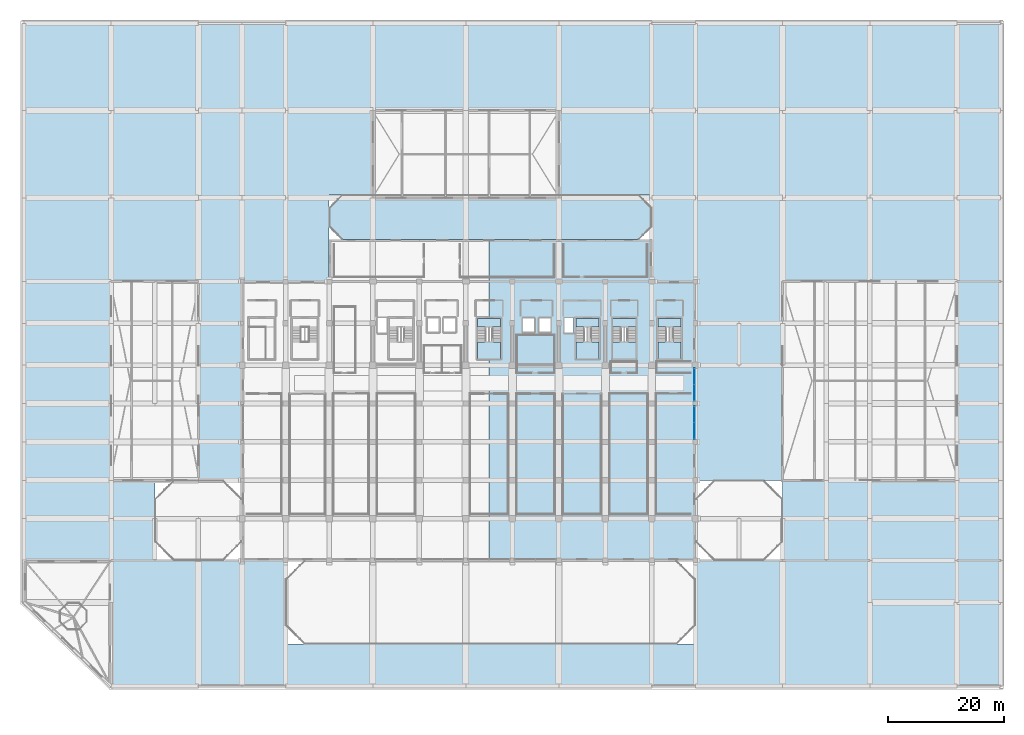
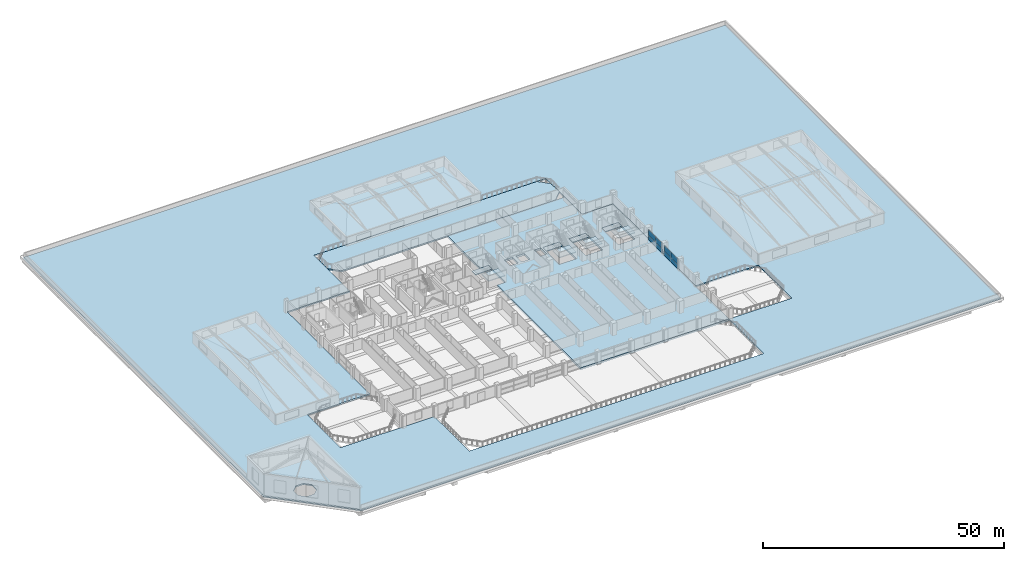
# One storey, part 32 of 49: 11 slabs, 6 plates, 6 elements without a shape of their own.
"""IFC4 building model written with IfcOpenShell, lengths in metres."""

from ifc_helpers import new_model, si_unit, direction, frame, origin, origin_2d, place, context, subcontext, project, spatial, polyline, rectangle, outline, extrude, material, layer, layer_set, type_object, element, aggregate, save


model = new_model("IFC4")

# Units and contexts
model_context = context("Model", 3, precision=1e-05, world=origin(), true_north=direction((0.0, 1.0)))
body_context = subcontext(model_context, "Body", "Model", "MODEL_VIEW")
ifc_project = project(units=[si_unit("LENGTHUNIT", "METRE"), si_unit("AREAUNIT", "SQUARE_METRE"), si_unit("VOLUMEUNIT", "CUBIC_METRE"), si_unit("PLANEANGLEUNIT", "RADIAN"), si_unit("MASSUNIT", "GRAM", prefix="KILO")], contexts=[model_context])

# Site, building, storey
site_placement = place(None, origin())
site = spatial("IfcSite", under=ifc_project, at=site_placement, CompositionType="ELEMENT")
building_placement = place(site_placement, origin())
building = spatial("IfcBuilding", under=site, at=building_placement, Name="Akrevak Sports Hall", CompositionType="ELEMENT")
storey_placement = place(building_placement, frame((0.0, 0.0, 24.14990234375)))
storey = spatial("IfcBuildingStorey", under=building, at=storey_placement, Name="L04", CompositionType="ELEMENT", Elevation=24.14990234375)

# Curtain wall, plates
ifc_material_1 = material(Name="Anodized Bronze Aluminium & Low-E Glass", Category="aluminium")
curtain_wall_type = type_object("IfcCurtainWallType", Name="ARC-CW-TWR-72x30", PredefinedType="NOTDEFINED", material=ifc_material_1)
curtain_wall_1_placement = place(storey_placement, origin())
curtain_wall_1 = element("IfcCurtainWall", 1, at=curtain_wall_1_placement, inside=storey, type_object=curtain_wall_type, Name="Curtain Wall CW-L04-E14", PredefinedType="NOTDEFINED")
ifc_material_2 = material(Name="Double Low-E Tempered Glass", Category="glass")
ifc_layer_1 = layer(ifc_material_2, 0.031982421875, Name="Double Low-E Tempered Glass")
ifc_layer_set_1 = layer_set([ifc_layer_1], Name="Double Low-E Tempered Glass")
plate_type_1 = type_object("IfcPlateType", Name="ARC-CWP-GLZ-32", PredefinedType="CURTAIN_PANEL", material=ifc_layer_set_1)
plate_1_placement = place(storey_placement, frame((115.340087890625, 43.875, 1.10009765625), z_axis=(0.0, 0.0, 1.0), x_axis=(0.0, 1.0, 0.0)))
plate_1 = element("IfcPlate", 2, at=plate_1_placement, type_object=plate_type_1, Name="Vision Glass Panel CW-L04-E14-G1", PredefinedType="CURTAIN_PANEL", context=body_context, shape_type="SweptSolid", body=[
    extrude(rectangle(XDim=2.85009765625, YDim=0.035888671875, at=origin_2d()), origin(), (0.0, 0.0, 1.0), 1.5),
])
plate_2_placement = place(storey_placement, frame((115.340087890625, 46.72509765625, 1.10009765625), z_axis=(0.0, 0.0, 1.0), x_axis=(0.0, 1.0, 0.0)))
plate_2 = element("IfcPlate", 3, at=plate_2_placement, type_object=plate_type_1, Name="Vision Glass Panel CW-L04-E14-G2", PredefinedType="CURTAIN_PANEL", context=body_context, shape_type="SweptSolid", body=[
    extrude(rectangle(XDim=2.85009765625, YDim=0.035888671875, at=origin_2d()), origin(), (0.0, 0.0, 1.0), 1.5),
])

curtain_wall_2_placement = place(storey_placement, origin())
curtain_wall_2 = element("IfcCurtainWall", 4, at=curtain_wall_2_placement, inside=storey, type_object=curtain_wall_type, Name="Curtain Wall CW-L04-E15", PredefinedType="NOTDEFINED")
plate_3_placement = place(storey_placement, frame((115.340087890625, 50.449951171875, 1.10009765625), z_axis=(0.0, 0.0, 1.0), x_axis=(0.0, 1.0, 0.0)))
plate_3 = element("IfcPlate", 5, at=plate_3_placement, type_object=plate_type_1, Name="Vision Glass Panel CW-L04-E15-G1", PredefinedType="CURTAIN_PANEL", context=body_context, shape_type="SweptSolid", body=[
    extrude(rectangle(XDim=2.800048828125, YDim=0.035888671875, at=origin_2d()), origin(), (0.0, 0.0, 1.0), 1.5),
])
plate_4_placement = place(storey_placement, frame((115.340087890625, 53.25, 1.10009765625), z_axis=(0.0, 0.0, 1.0), x_axis=(0.0, 1.0, 0.0)))
plate_4 = element("IfcPlate", 6, at=plate_4_placement, type_object=plate_type_1, Name="Vision Glass Panel CW-L04-E15-G2", PredefinedType="CURTAIN_PANEL", context=body_context, shape_type="SweptSolid", body=[
    extrude(rectangle(XDim=2.800048828125, YDim=0.035888671875, at=origin_2d()), origin(), (0.0, 0.0, 1.0), 1.5),
])

# Plate
ifc_material_3 = material(Name="Insulated Bronze Spandrel Panel", Category="aluminium")
ifc_layer_2 = layer(ifc_material_3, 0.0400390625, Name="Insulated Bronze Spandrel Panel")
ifc_layer_set_2 = layer_set([ifc_layer_2], Name="Insulated Bronze Spandrel Panel")
plate_type_2 = type_object("IfcPlateType", Name="ARC-CWP-SPD-40", PredefinedType="CURTAIN_PANEL", material=ifc_layer_set_2)
plate_5_placement = place(storey_placement, frame((115.340087890625, 45.300048828125, 0.0), z_axis=(0.0, 0.0, 1.0), x_axis=(0.0, 1.0, 0.0)))
plate_5 = element("IfcPlate", 7, at=plate_5_placement, type_object=plate_type_2, Name="Insulated Spandrel Panel CW-L04-E14-S1", PredefinedType="CURTAIN_PANEL", context=body_context, shape_type="SweptSolid", body=[
    extrude(rectangle(XDim=5.699951171875, YDim=0.0439453125, at=origin_2d()), origin(), (0.0, 0.0, 1.0), 1.10009765625),
])

aggregate(curtain_wall_1, [plate_1, plate_2, plate_5])

plate_6_placement = place(storey_placement, frame((115.340087890625, 51.85009765625, 0.0), z_axis=(0.0, 0.0, 1.0), x_axis=(0.0, 1.0, 0.0)))
plate_6 = element("IfcPlate", 8, at=plate_6_placement, type_object=plate_type_2, Name="Insulated Spandrel Panel CW-L04-E15-S1", PredefinedType="CURTAIN_PANEL", context=body_context, shape_type="SweptSolid", body=[
    extrude(rectangle(XDim=5.60009765625, YDim=0.0439453125, at=origin_2d()), origin(), (0.0, 0.0, 1.0), 1.10009765625),
])

aggregate(curtain_wall_2, [plate_3, plate_4, plate_6])

# Slab
ifc_material_4 = material(Name="Concrete C50/60", Category="concrete")
ifc_layer_3 = layer(ifc_material_4, 0.5, Name="Concrete C50/60")
ifc_layer_set_3 = layer_set([ifc_layer_3], Name="Concrete C50/60")
slab_type_1 = type_object("IfcSlabType", Name="PT-Transfer-Slab-500", PredefinedType="FLOOR", material=ifc_layer_set_3)
slab_1_placement = place(storey_placement, frame((0.0, 0.0, -0.5)))
element("IfcSlab", 9, at=slab_1_placement, inside=storey, type_object=slab_type_1, Name="Post-Tensioned Transfer Slab L04 Over Twin Courts", PredefinedType="FLOOR", context=body_context, shape_type="SweptSolid", body=[
    extrude(outline(polyline([(80.0, 76.800048828125), (80.0, 63.25), (82.0, 63.25), (82.0, 56.300048828125), (80.0, 56.300048828125), (80.0, 21.60009765625), (115.5, 21.60009765625), (115.5, 69.60009765625), (108.0, 69.60009765625), (108.0, 76.800048828125), (80.0, 76.800048828125)]), holes=[polyline([(98.949951171875, 63.25), (98.949951171875, 56.300048828125), (94.949951171875, 56.300048828125), (94.949951171875, 63.25), (98.949951171875, 63.25)]), polyline([(105.25, 63.25), (105.25, 56.300048828125), (101.25, 56.300048828125), (101.25, 63.25), (105.25, 63.25)]), polyline([(113.050048828125, 63.25), (113.050048828125, 56.300048828125), (109.050048828125, 56.300048828125), (109.050048828125, 63.25), (113.050048828125, 63.25)]), polyline([(94.47998046875, 63.280029296875), (94.47998046875, 60.77001953125), (92.969970703125, 60.77001953125), (92.969970703125, 63.280029296875), (94.47998046875, 63.280029296875)]), polyline([(87.780029296875, 63.280029296875), (87.780029296875, 60.919921875), (85.820068359375, 60.919921875), (85.820068359375, 63.280029296875), (87.780029296875, 63.280029296875)]), polyline([(90.580078125, 63.280029296875), (90.580078125, 60.919921875), (88.6201171875, 60.919921875), (88.6201171875, 63.280029296875), (90.580078125, 63.280029296875)])]), origin(), (0.0, 0.0, 1.0), 0.5),
])

# Stair, slab
ifc_material_5 = material(Name="Concrete C40/50", Category="concrete")
stair_type = type_object("IfcStairType", Name="ARC-STR-DOG-340", PredefinedType="HALF_TURN_STAIR", material=ifc_material_5)
stair_1_placement = place(storey_placement, origin())
stair_1 = element("IfcStair", 10, at=stair_1_placement, inside=storey, type_object=stair_type, Name="Protected Exit Stair ST2 (L04 to L05)", PredefinedType="HALF_TURN_STAIR")
ifc_layer_4 = layer(ifc_material_5, 0.199951171875, Name="Concrete C40/50")
ifc_layer_set_4 = layer_set([ifc_layer_4], Name="Concrete C40/50")
slab_type_2 = type_object("IfcSlabType", Name="STR-SLB-LAND-200", PredefinedType="LANDING", material=ifc_layer_set_4)
slab_2_placement = place(storey_placement, frame((0.0, 0.0, 1.5)))
slab_2 = element("IfcSlab", 11, at=slab_2_placement, type_object=slab_type_2, Name="Stair ST2 Half-Landing 1 (L04)", PredefinedType="LANDING", context=body_context, shape_type="SweptSolid", body=[
    extrude(outline(polyline([(94.949951171875, 56.300048828125), (98.949951171875, 56.300048828125), (98.949951171875, 59.215087890625), (94.949951171875, 59.215087890625), (94.949951171875, 56.300048828125)])), origin(), (0.0, 0.0, 1.0), 0.2001953125),
])
aggregate(stair_1, [slab_2])

stair_2_placement = place(storey_placement, origin())
stair_2 = element("IfcStair", 12, at=stair_2_placement, inside=storey, type_object=stair_type, Name="Protected Exit Stair ST3 (L04 to L05)", PredefinedType="HALF_TURN_STAIR")
slab_3_placement = place(storey_placement, frame((0.0, 0.0, 1.5)))
slab_3 = element("IfcSlab", 13, at=slab_3_placement, type_object=slab_type_2, Name="Stair ST3 Half-Landing 1 (L04)", PredefinedType="LANDING", context=body_context, shape_type="SweptSolid", body=[
    extrude(outline(polyline([(78.0, 56.300048828125), (82.0, 56.300048828125), (82.0, 59.215087890625), (78.0, 59.215087890625), (78.0, 56.300048828125)])), origin(), (0.0, 0.0, 1.0), 0.2001953125),
])
aggregate(stair_2, [slab_3])

stair_3_placement = place(storey_placement, origin())
stair_3 = element("IfcStair", 14, at=stair_3_placement, inside=storey, type_object=stair_type, Name="East Wing Exit Stair ST10 (L04 to L05)", PredefinedType="HALF_TURN_STAIR")
slab_4_placement = place(storey_placement, frame((0.0, 0.0, 1.5)))
slab_4 = element("IfcSlab", 15, at=slab_4_placement, type_object=slab_type_2, Name="Stair ST10 Half-Landing 1 (L04)", PredefinedType="LANDING", context=body_context, shape_type="SweptSolid", body=[
    extrude(outline(polyline([(101.25, 56.300048828125), (105.25, 56.300048828125), (105.25, 59.215087890625), (101.25, 59.215087890625), (101.25, 56.300048828125)])), origin(), (0.0, 0.0, 1.0), 0.2001953125),
])
aggregate(stair_3, [slab_4])

stair_4_placement = place(storey_placement, origin())
stair_4 = element("IfcStair", 16, at=stair_4_placement, inside=storey, type_object=stair_type, Name="East Transfer Exit Stair ST11 (L04 to L05)", PredefinedType="HALF_TURN_STAIR")
slab_5_placement = place(storey_placement, frame((0.0, 0.0, 1.5)))
slab_5 = element("IfcSlab", 17, at=slab_5_placement, type_object=slab_type_2, Name="Stair ST11 Half-Landing 1 (L04)", PredefinedType="LANDING", context=body_context, shape_type="SweptSolid", body=[
    extrude(outline(polyline([(109.050048828125, 56.300048828125), (113.050048828125, 56.300048828125), (113.050048828125, 59.215087890625), (109.050048828125, 59.215087890625), (109.050048828125, 56.300048828125)])), origin(), (0.0, 0.0, 1.0), 0.2001953125),
])
aggregate(stair_4, [slab_5])

# Slabs
ifc_layer_5 = layer(ifc_material_5, 0.219970703125, Name="Concrete C40/50")
ifc_layer_set_5 = layer_set([ifc_layer_5], Name="Concrete C40/50")
slab_type_3 = type_object("IfcSlabType", Name="STR-SLB-LAND-220", PredefinedType="LANDING", material=ifc_layer_set_5)
slab_6_placement = place(storey_placement, frame((0.0, 0.0, -0.219970703125)))
element("IfcSlab", 18, at=slab_6_placement, inside=storey, type_object=slab_type_3, Name="Stair ST2 Floor Landing (L04)", PredefinedType="LANDING", context=body_context, shape_type="SweptSolid", body=[
    extrude(outline(polyline([(94.949951171875, 61.735107421875), (98.949951171875, 61.735107421875), (98.949951171875, 63.25), (94.949951171875, 63.25), (94.949951171875, 61.735107421875)])), origin(), (0.0, 0.0, 1.0), 0.219970703125),
])
slab_7_placement = place(storey_placement, frame((0.0, 0.0, -0.219970703125)))
element("IfcSlab", 19, at=slab_7_placement, inside=storey, type_object=slab_type_3, Name="Stair ST3 Floor Landing (L04)", PredefinedType="LANDING", context=body_context, shape_type="SweptSolid", body=[
    extrude(outline(polyline([(78.0, 61.735107421875), (82.0, 61.735107421875), (82.0, 63.25), (78.0, 63.25), (78.0, 61.735107421875)])), origin(), (0.0, 0.0, 1.0), 0.219970703125),
])
slab_8_placement = place(storey_placement, frame((0.0, 0.0, -0.219970703125)))
element("IfcSlab", 20, at=slab_8_placement, inside=storey, type_object=slab_type_3, Name="Stair ST10 Floor Landing (L04)", PredefinedType="LANDING", context=body_context, shape_type="SweptSolid", body=[
    extrude(outline(polyline([(101.25, 61.735107421875), (105.25, 61.735107421875), (105.25, 63.25), (101.25, 63.25), (101.25, 61.735107421875)])), origin(), (0.0, 0.0, 1.0), 0.219970703125),
])
slab_9_placement = place(storey_placement, frame((0.0, 0.0, -0.219970703125)))
element("IfcSlab", 21, at=slab_9_placement, inside=storey, type_object=slab_type_3, Name="Stair ST11 Floor Landing (L04)", PredefinedType="LANDING", context=body_context, shape_type="SweptSolid", body=[
    extrude(outline(polyline([(109.050048828125, 61.735107421875), (113.050048828125, 61.735107421875), (113.050048828125, 63.25), (109.050048828125, 63.25), (109.050048828125, 61.735107421875)])), origin(), (0.0, 0.0, 1.0), 0.219970703125),
])
ifc_layer_6 = layer(ifc_material_5, 0.340087890625, Name="Concrete C40/50")
ifc_layer_set_6 = layer_set([ifc_layer_6], Name="Concrete C40/50")
slab_type_4 = type_object("IfcSlabType", Name="STR-SLB-ROOF-340", PredefinedType="ROOF", material=ifc_layer_set_6)
slab_10_placement = place(storey_placement, frame((0.0, 0.0, -0.33984375)))
element("IfcSlab", 22, at=slab_10_placement, inside=storey, type_object=slab_type_4, Name="Podium Roof Slab L04-1", PredefinedType="ROOF", context=body_context, shape_type="SweptSolid", body=[
    extrude(outline(polyline([(0.0, 114.0), (0.0, 14.39990234375), (15.0, 0.0), (168.0, 0.0), (168.0, 114.0), (0.0, 114.0)]), holes=[polyline([(115.5, 69.60009765625), (115.5, 35.39990234375), (130.5, 35.39990234375), (130.5, 21.60009765625), (115.5, 21.60009765625), (115.5, 7.199951171875), (45.0, 7.199951171875), (45.0, 21.60009765625), (37.5, 21.60009765625), (22.5, 21.60009765625), (22.5, 35.39990234375), (37.5, 35.39990234375), (37.5, 69.60009765625), (52.5, 69.60009765625), (52.5, 76.800048828125), (52.5, 84.5), (108.0, 84.5), (108.0, 76.800048828125), (108.0, 69.60009765625), (115.5, 69.60009765625)]), polyline([(10.717041015625, 12.91796875), (10.717041015625, 11.08203125), (9.41796875, 9.782958984375), (7.58203125, 9.782958984375), (6.282958984375, 11.08203125), (6.282958984375, 12.91796875), (7.58203125, 14.217041015625), (9.41796875, 14.217041015625), (10.717041015625, 12.91796875)])]), origin(), (0.0, 0.0, 1.0), 0.33984375),
])
ifc_layer_7 = layer(ifc_material_5, 0.360107421875, Name="Concrete C40/50")
ifc_layer_set_7 = layer_set([ifc_layer_7], Name="Concrete C40/50")
slab_type_5 = type_object("IfcSlabType", Name="STR-SLB-TERR-360", PredefinedType="FLOOR", material=ifc_layer_set_7)
slab_11_placement = place(storey_placement, frame((0.0, 0.0, -0.35986328125)))
element("IfcSlab", 23, at=slab_11_placement, inside=storey, type_object=slab_type_5, Name="Podium North Athletes Terrace", PredefinedType="FLOOR", context=body_context, shape_type="SweptSolid", body=[
    extrude(outline(polyline([(105.840087890625, 76.800048828125), (108.0, 78.9599609375), (108.0, 82.340087890625), (105.840087890625, 84.5), (54.659912109375, 84.5), (52.5, 82.340087890625), (52.5, 78.9599609375), (54.659912109375, 76.800048828125), (105.840087890625, 76.800048828125)])), origin(), (0.0, 0.0, 1.0), 0.35986328125),
])

save(model, "model.ifc")
